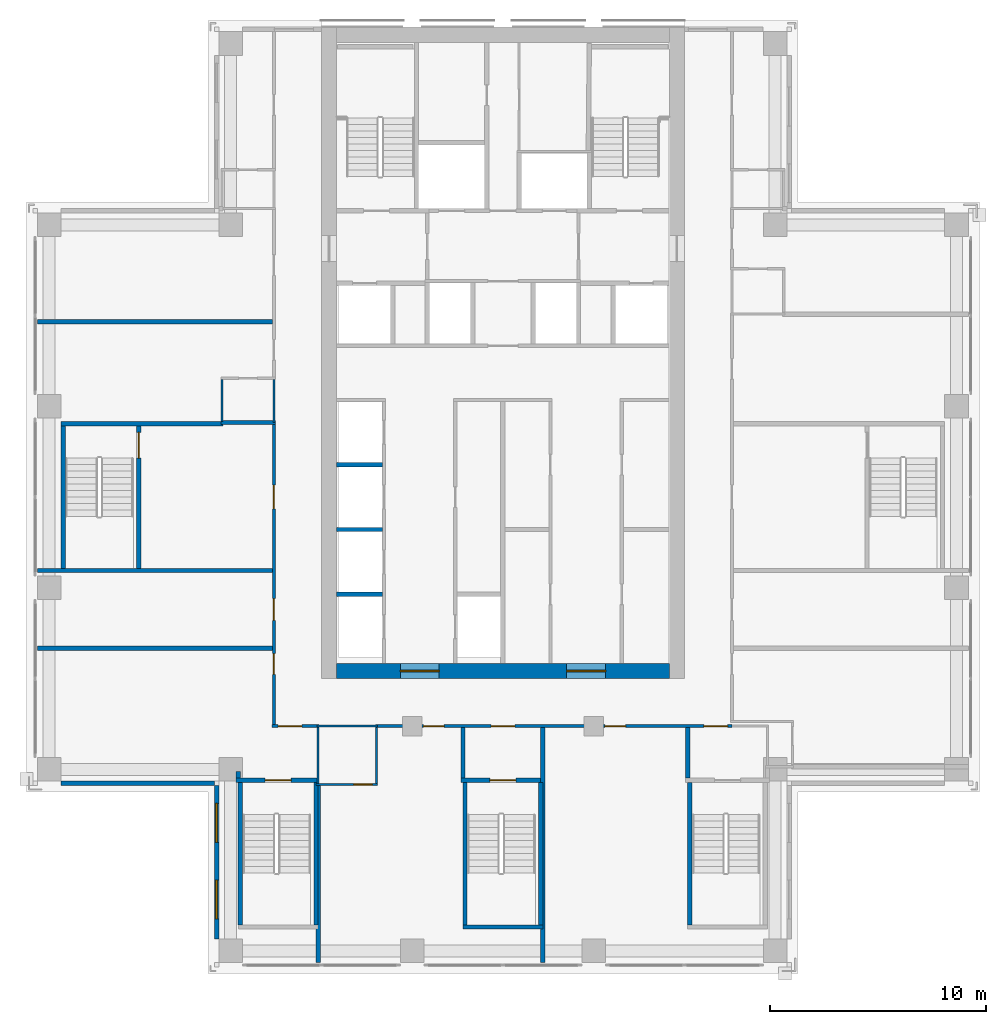
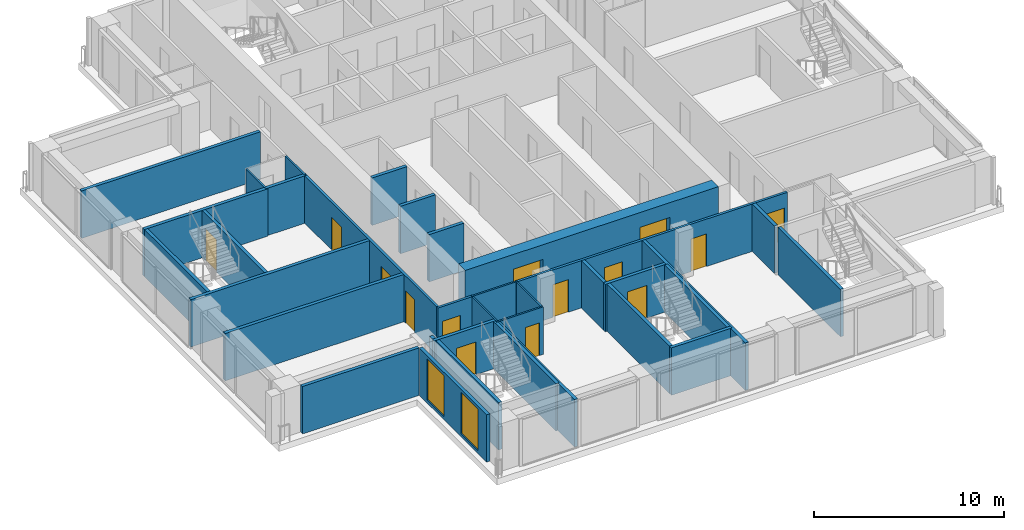
# One storey, part 9 of 16: 35 walls, 14 doors, 2 windows, 16 openings.
"""IFC4 building model written with IfcOpenShell, lengths in metres."""

import ifcopenshell
import ifcopenshell.guid

model = None  # the IFC model being written
_history = None  # IfcOwnerHistory: only IFC2X3 demands one
_inside = {}  # id of a spatial element -> (the spatial element, [elements in it])
_under = {}  # id of a project, library or spatial element -> (it, [spatial elements below it])
_declared = {}  # id of a project -> (the project, [libraries it declares])
_typed = {}  # id of a type object -> (the type object, [elements of that type])
_made_of = {}  # id of a material, layer set ... -> (it, [elements and type objects made of it])


def new_model(schema):
    """Start an empty IFC model of exactly this schema.

    Asked for "IFC4X3", IfcOpenShell would pick the latest addendum, in which some entities
    have other attributes; the version numbers below select the first issue.
    IFC2X3 requires an IfcOwnerHistory on every rooted entity: one is made here for all.
    """
    global model, _history
    if schema == "IFC4X3":
        model = ifcopenshell.file(schema_version=(4, 3, 0, 0))
    else:
        model = ifcopenshell.file(schema=schema)
    _inside.clear()
    _under.clear()
    _declared.clear()
    _typed.clear()
    _made_of.clear()
    _history = None
    if model.schema == "IFC2X3":
        org = make("IfcOrganization", Name="unknown")
        user = make(
            "IfcPersonAndOrganization",
            ThePerson=make("IfcPerson", FamilyName="unknown"),
            TheOrganization=org,
        )
        app = make(
            "IfcApplication",
            ApplicationDeveloper=org,
            Version="unknown",
            ApplicationFullName="unknown",
            ApplicationIdentifier="unknown",
        )
        _history = make(
            "IfcOwnerHistory",
            OwningUser=user,
            OwningApplication=app,
            ChangeAction="ADDED",
            CreationDate=0,
        )
    return model


def make(cls, **values):
    """One entity of the class cls with the attributes given. An attribute that is None is left unset."""
    return model.create_entity(
        cls, **{name: value for name, value in values.items() if value is not None}
    )


def rooted(cls, **values):
    """An entity with a GlobalId (a new one), such as an element, a storey or a relation."""
    return make(cls, GlobalId=ifcopenshell.guid.new(), OwnerHistory=_history, **values)


def si_unit(unit_type, name, prefix=None):
    """IfcSIUnit, for example si_unit("LENGTHUNIT", "METRE", prefix="MILLI")."""
    return make("IfcSIUnit", UnitType=unit_type, Prefix=prefix, Name=name)


def assignment(units):
    """IfcUnitAssignment: the units of a project."""
    return None if units is None else make("IfcUnitAssignment", Units=units)


def point(xyz):
    """IfcCartesianPoint."""
    return None if xyz is None else make("IfcCartesianPoint", Coordinates=xyz)


def direction(xyz):
    """IfcDirection."""
    return None if xyz is None else make("IfcDirection", DirectionRatios=xyz)


def frame(location, z_axis=None, x_axis=None):
    """IfcAxis2Placement3D, a coordinate frame: its origin and axes. An axis left out is left unset."""
    return make(
        "IfcAxis2Placement3D",
        Location=point(location),
        Axis=direction(z_axis),
        RefDirection=direction(x_axis),
    )


def frame_2d(location, x_axis=None):
    """IfcAxis2Placement2D, a coordinate frame in the plane: its origin and x axis."""
    return make(
        "IfcAxis2Placement2D", Location=point(location), RefDirection=direction(x_axis)
    )


def origin():
    """The frame at (0, 0, 0) with its axes left unset."""
    return frame((0.0, 0.0, 0.0))


def place(relative_to, where):
    """IfcLocalPlacement: puts the frame where relative to a parent placement (None: the world)."""
    return make(
        "IfcLocalPlacement", PlacementRelTo=relative_to, RelativePlacement=where
    )


def context(
    kind, dimensions, precision=None, world=None, true_north=None, identifier=None
):
    """IfcGeometricRepresentationContext, for example the 3D "Model" context."""
    return make(
        "IfcGeometricRepresentationContext",
        ContextIdentifier=identifier,
        ContextType=kind,
        CoordinateSpaceDimension=dimensions,
        Precision=precision,
        WorldCoordinateSystem=world,
        TrueNorth=true_north,
    )


def subcontext(parent, identifier, kind, view, scale=None):
    """IfcGeometricRepresentationSubContext, for example "Body" below "Model"."""
    return make(
        "IfcGeometricRepresentationSubContext",
        ContextIdentifier=identifier,
        ContextType=kind,
        ParentContext=parent,
        TargetScale=scale,
        TargetView=view,
    )


def project(units=None, contexts=None):
    """IfcProject with its units and contexts."""
    return rooted(
        "IfcProject",
        Name="project",
        RepresentationContexts=contexts,
        UnitsInContext=assignment(units),
    )


def spatial(cls, under=None, at=None, **own):
    """A site, building, storey or space (cls), placed at a placement, below another one or the project."""
    s = rooted(cls, ObjectPlacement=at, **own)
    if under is not None:
        _under.setdefault(under.id(), (under, []))[1].append(s)
    return s


def profile(cls, at=None, kind="AREA", **sizes):
    """A parametric profile (cls). Its sizes go by their IFC names, for example OverallWidth=200.0."""
    return make(cls, ProfileType=kind, Position=at, **sizes)


def rectangle(**sizes):
    """IfcRectangleProfileDef."""
    return profile("IfcRectangleProfileDef", **sizes)


def extrude(swept, where, along, depth):
    """IfcExtrudedAreaSolid: the profile swept, set in the frame where, extruded along a direction by depth."""
    return make(
        "IfcExtrudedAreaSolid",
        SweptArea=swept,
        Position=where,
        ExtrudedDirection=direction(along),
        Depth=depth,
    )


def shape(context_of_items, identifier, shape_type, items):
    """IfcShapeRepresentation: the items that make up one representation, for example the "Body"."""
    return make(
        "IfcShapeRepresentation",
        ContextOfItems=context_of_items,
        RepresentationIdentifier=identifier,
        RepresentationType=shape_type,
        Items=items,
    )


def material(Name=None, Category=None):
    """IfcMaterial."""
    return make("IfcMaterial", Name=Name, Category=Category)


def layer(
    of_material, thickness, ventilated=None, Name=None, Category=None, Priority=None
):
    """IfcMaterialLayer: one layer of a wall or slab, of a material (None: an air gap)."""
    return make(
        "IfcMaterialLayer",
        Material=of_material,
        LayerThickness=thickness,
        IsVentilated=ventilated,
        Name=Name,
        Category=Category,
        Priority=Priority,
    )


def layer_set(layers, Name=None):
    """IfcMaterialLayerSet."""
    return make("IfcMaterialLayerSet", MaterialLayers=layers, LayerSetName=Name)


def made_of(thing, what):
    """Note that an element or type object is made of a material, layer set ...; save() writes the relation."""
    if what is not None:
        _made_of.setdefault(what.id(), (what, []))[1].append(thing)
    return thing


def type_object(cls, material=None, **own):
    """A type object (cls), such as IfcWallType, which elements share."""
    return made_of(rooted(cls, **own), material)


def element(
    cls,
    number,
    at=None,
    inside=None,
    cuts=None,
    type_object=None,
    material=None,
    context=None,
    identifier="Body",
    shape_type=None,
    held_by="IfcProductDefinitionShape",
    body=None,
    shapes=None,
    **own,
):
    """One element of the class cls, such as IfcWall. Its Tag is "e" and its number.

    at: its placement. inside: the storey or other place that contains it. cuts: it is an
    opening in that element (IfcRelVoidsElement). A single representation is given by context,
    identifier, shape_type and body (its items); several are given by shapes. held_by: the class
    of the entity that holds the representations. save() writes the other relations.
    """
    e = rooted(cls, Tag="e%d" % number, ObjectPlacement=at, **own)
    if body is not None:
        shapes = [shape(context, identifier, shape_type, body)]
    if shapes is not None:
        e.Representation = make(held_by, Representations=shapes)
    if inside is not None:
        _inside.setdefault(inside.id(), (inside, []))[1].append(e)
    if cuts is not None:
        rooted(
            "IfcRelVoidsElement", RelatingBuildingElement=cuts, RelatedOpeningElement=e
        )
    if type_object is not None:
        _typed.setdefault(type_object.id(), (type_object, []))[1].append(e)
    return made_of(e, material)


def fill(opening, filler):
    """IfcRelFillsElement: the door or window that sits in an opening."""
    return rooted(
        "IfcRelFillsElement",
        RelatingOpeningElement=opening,
        RelatedBuildingElement=filler,
    )


def aggregate(whole, parts):
    """IfcRelAggregates: a whole, such as a stair, and the parts it consists of."""
    return rooted("IfcRelAggregates", RelatingObject=whole, RelatedObjects=parts)


def save(model, path):
    """Write the relations noted so far, then the file.

    IfcRelAggregates (storeys below a building ...), IfcRelContainedInSpatialStructure (elements
    in a storey), IfcRelDefinesByType, IfcRelAssociatesMaterial and IfcRelDeclares: one each for
    every whole, place, type object, material and project.
    """
    for whole, parts in _under.values():
        aggregate(whole, parts)
    for where, things in _inside.values():
        rooted(
            "IfcRelContainedInSpatialStructure",
            RelatedElements=things,
            RelatingStructure=where,
        )
    for kind, things in _typed.values():
        rooted("IfcRelDefinesByType", RelatedObjects=things, RelatingType=kind)
    for what, things in _made_of.values():
        rooted("IfcRelAssociatesMaterial", RelatedObjects=things, RelatingMaterial=what)
    for by, libraries in _declared.values():
        rooted("IfcRelDeclares", RelatingContext=by, RelatedDefinitions=libraries)
    model.write(path)


model = new_model("IFC4")

# Units and contexts
model_context = context("Model", 3, precision=1e-05, world=origin(), true_north=direction((0.0, 1.0)))
body_context = subcontext(model_context, "Body", "Model", "MODEL_VIEW")
ifc_project = project(units=[si_unit("LENGTHUNIT", "METRE"), si_unit("AREAUNIT", "SQUARE_METRE"), si_unit("VOLUMEUNIT", "CUBIC_METRE"), si_unit("PLANEANGLEUNIT", "RADIAN"), si_unit("MASSUNIT", "GRAM", prefix="KILO")], contexts=[model_context])

# Site, building, storey
site_placement = place(None, origin())
site = spatial("IfcSite", under=ifc_project, at=site_placement, CompositionType="ELEMENT")
building_placement = place(site_placement, origin())
building = spatial("IfcBuilding", under=site, at=building_placement, Name="Vermilion Ogive Tower", CompositionType="ELEMENT")
storey_placement = place(building_placement, frame((0.0, 0.0, 146.89990234375)))
storey = spatial("IfcBuildingStorey", under=building, at=storey_placement, Name="L37", CompositionType="ELEMENT", Elevation=146.89990234375)

# Wall, openings, doors
ifc_material_1 = material(Name="Concrete B60", Category="concrete")
ifc_layer_1 = layer(ifc_material_1, 0.699951171875)
ifc_layer_set_1 = layer_set([ifc_layer_1], Name="Core wall 700 B60")
wall_type_1 = type_object("IfcWallType", Name="Core wall 700 B60", PredefinedType="SHEAR", material=ifc_layer_set_1)
wall_1_placement = place(storey_placement, frame((-7.699951171875, -8.050048828125, -0.39990234375), z_axis=(0.0, 0.0, 1.0), x_axis=(1.0, 0.0, 0.0)))
wall_1 = element("IfcWall", 1, at=wall_1_placement, inside=storey, type_object=wall_type_1, Name="L37-CORE-S", PredefinedType="SHEAR", context=body_context, shape_type="SweptSolid", body=[
    extrude(rectangle(XDim=15.39990234375, YDim=0.699951171875, at=frame_2d((7.699951171875, 0.0))), origin(), (0.0, 0.0, 1.0), 3.449951171875),
])
opening_1_placement = place(wall_1_placement, frame((2.949951171875, 0.0, 0.39990234375)))
opening_1 = element("IfcOpeningElement", 2, at=opening_1_placement, cuts=wall_1, Name="Opening DAH027", PredefinedType="OPENING", context=body_context, shape_type="SweptSolid", body=[
    extrude(rectangle(XDim=1.800048828125, YDim=2.10009765625, at=frame_2d((0.89990234375, 1.050048828125))), frame((0.0, 0.35986328125, 0.0), z_axis=(0.0, -1.0, 0.0), x_axis=(1.0, 0.0, 0.0)), (0.0, 0.0, 1.0), 0.719970703125),
])
opening_2_placement = place(wall_1_placement, frame((10.64990234375, 0.0, 0.39990234375)))
opening_2 = element("IfcOpeningElement", 3, at=opening_2_placement, cuts=wall_1, Name="Opening DAH028", PredefinedType="OPENING", context=body_context, shape_type="SweptSolid", body=[
    extrude(rectangle(XDim=1.800048828125, YDim=2.10009765625, at=frame_2d((0.89990234375, 1.050048828125))), frame((0.0, 0.35986328125, 0.0), z_axis=(0.0, -1.0, 0.0), x_axis=(1.0, 0.0, 0.0)), (0.0, 0.0, 1.0), 0.719970703125),
])
ifc_material_2 = material(Name="Timber door leaf", Category="wood")
door_type_1 = type_object("IfcDoorType", Name="Core entry door 1800 x 2100 FD60S", OperationType="DOUBLE_DOOR_SINGLE_SWING", PredefinedType="DOOR", material=ifc_material_2)
door_1_placement = place(opening_1_placement, origin())
door_1 = element("IfcDoor", 4, at=door_1_placement, inside=storey, type_object=door_type_1, Name="L37-CK-XD1", OperationType="SINGLE_SWING_LEFT", OverallHeight=2.10009765625, OverallWidth=1.800048828125, PredefinedType="DOOR", context=body_context, shape_type="SweptSolid", body=[
    extrude(rectangle(XDim=1.800048828125, YDim=2.10009765625, at=frame_2d((0.89990234375, 1.050048828125))), frame((0.0, 0.02490234375, 0.0), z_axis=(0.0, -1.0, 0.0), x_axis=(1.0, 0.0, 0.0)), (0.0, 0.0, 1.0), 0.050048828125),
])
fill(opening_1, door_1)
door_2_placement = place(opening_2_placement, origin())
door_2 = element("IfcDoor", 5, at=door_2_placement, inside=storey, type_object=door_type_1, Name="L37-CK-XD2", OperationType="SINGLE_SWING_LEFT", OverallHeight=2.10009765625, OverallWidth=1.800048828125, PredefinedType="DOOR", context=body_context, shape_type="SweptSolid", body=[
    extrude(rectangle(XDim=1.800048828125, YDim=2.10009765625, at=frame_2d((0.89990234375, 1.050048828125))), frame((0.0, 0.02490234375, 0.0), z_axis=(0.0, -1.0, 0.0), x_axis=(1.0, 0.0, 0.0)), (0.0, 0.0, 1.0), 0.050048828125),
])
fill(opening_2, door_2)

# Wall, opening, door
ifc_material_3 = material(Name="Gypsum board partition on steel studs", Category="steel")
ifc_layer_2 = layer(ifc_material_3, 0.10009765625)
ifc_layer_set_2 = layer_set([ifc_layer_2], Name="Partition 100 bath")
wall_type_2 = type_object("IfcWallType", Name="Partition 100 bath", PredefinedType="PARTITIONING", material=ifc_layer_set_2)
wall_2_placement = place(storey_placement, frame((-8.64990234375, -13.300048828125, 0.0), z_axis=(0.0, 0.0, 1.0), x_axis=(1.0, 0.0, 0.0)))
wall_2 = element("IfcWall", 6, at=wall_2_placement, inside=storey, type_object=wall_type_2, Name="L37-W-W004", PredefinedType="PARTITIONING", context=body_context, shape_type="SweptSolid", body=[
    extrude(rectangle(XDim=2.847900390625, YDim=0.10009765625, at=frame_2d((1.423828125, 0.0))), origin(), (0.0, 0.0, 1.0), 3.050048828125),
])
opening_3_placement = place(wall_2_placement, frame((1.75, 0.0, 0.0)))
opening_3 = element("IfcOpeningElement", 7, at=opening_3_placement, cuts=wall_2, Name="Opening D3G2008", PredefinedType="OPENING", context=body_context, shape_type="SweptSolid", body=[
    extrude(rectangle(XDim=0.85009765625, YDim=2.10009765625, at=frame_2d((0.425048828125, 1.050048828125))), frame((0.0, 0.06005859375, 0.0), z_axis=(0.0, -1.0, 0.0), x_axis=(1.0, 0.0, 0.0)), (0.0, 0.0, 1.0), 0.1201171875),
])
ifc_material_4 = material(Name="Timber door leaf", Category="wood")
door_type_2 = type_object("IfcDoorType", Name="Bath door 850 x 2100 FD30", OperationType="SINGLE_SWING_LEFT", PredefinedType="DOOR", material=ifc_material_4)
door_3_placement = place(opening_3_placement, origin())
door_3 = element("IfcDoor", 8, at=door_3_placement, inside=storey, type_object=door_type_2, Name="L37-D-D008", OperationType="SINGLE_SWING_RIGHT", OverallHeight=2.10009765625, OverallWidth=0.85009765625, PredefinedType="DOOR", context=body_context, shape_type="SweptSolid", body=[
    extrude(rectangle(XDim=0.85009765625, YDim=2.10009765625, at=frame_2d((0.425048828125, 1.050048828125))), frame((0.0, 0.02490234375, 0.0), z_axis=(0.0, -1.0, 0.0), x_axis=(1.0, 0.0, 0.0)), (0.0, 0.0, 1.0), 0.050048828125),
])
fill(opening_3, door_3)

# Walls
wall_3_placement = place(storey_placement, frame((-8.60009765625, -10.60009765625, 0.0), z_axis=(0.0, 0.0, 1.0), x_axis=(1.0, 0.0, 0.0)))
element("IfcWall", 9, at=wall_3_placement, inside=storey, type_object=wall_type_2, Name="L37-W-W011", PredefinedType="PARTITIONING", context=body_context, shape_type="SweptSolid", body=[
    extrude(rectangle(XDim=2.800048828125, YDim=0.10009765625, at=frame_2d((1.39990234375, 0.0))), origin(), (0.0, 0.0, 1.0), 3.050048828125),
])
wall_4_placement = place(storey_placement, frame((-13.0, 3.5, 0.0), z_axis=(0.0, 0.0, 1.0), x_axis=(0.0, 1.0, 0.0)))
element("IfcWall", 10, at=wall_4_placement, inside=storey, type_object=wall_type_2, Name="L37-W-W035", PredefinedType="PARTITIONING", context=body_context, shape_type="SweptSolid", body=[
    extrude(rectangle(XDim=1.947998046875, YDim=0.10009765625, at=frame_2d((0.97412109375, 0.0))), origin(), (0.0, 0.0, 1.0), 3.050048828125),
])
wall_5_placement = place(storey_placement, frame((-10.60009765625, 3.449951171875, 0.0), z_axis=(0.0, 0.0, 1.0), x_axis=(0.0, 1.0, 0.0)))
element("IfcWall", 11, at=wall_5_placement, inside=storey, type_object=wall_type_2, Name="L37-W-W040", PredefinedType="PARTITIONING", context=body_context, shape_type="SweptSolid", body=[
    extrude(rectangle(XDim=2.0, YDim=0.10009765625, at=frame_2d((1.0, 0.0))), origin(), (0.0, 0.0, 1.0), 3.050048828125),
])
wall_6_placement = place(storey_placement, frame((-8.550048828125, -13.25, 0.0), z_axis=(0.0, 0.0, 1.0), x_axis=(0.0, 1.0, 0.0)))
element("IfcWall", 12, at=wall_6_placement, inside=storey, type_object=wall_type_2, Name="L37-W-W046", PredefinedType="PARTITIONING", context=body_context, shape_type="SweptSolid", body=[
    extrude(rectangle(XDim=2.574951171875, YDim=0.10009765625, at=frame_2d((1.28759765625, 0.0))), origin(), (0.0, 0.0, 1.0), 3.050048828125),
])
wall_7_placement = place(storey_placement, frame((-5.85009765625, -13.248046875, 0.0), z_axis=(0.0, 0.0, 1.0), x_axis=(0.0, 1.0, 0.0)))
element("IfcWall", 13, at=wall_7_placement, inside=storey, type_object=wall_type_2, Name="L37-W-W047", PredefinedType="PARTITIONING", context=body_context, shape_type="SweptSolid", body=[
    extrude(rectangle(XDim=2.572998046875, YDim=0.10009765625, at=frame_2d((1.28662109375, 0.0))), origin(), (0.0, 0.0, 1.0), 3.050048828125),
])

# Wall, opening, door
ifc_material_5 = material(Name="Gypsum board partition on steel studs", Category="steel")
ifc_layer_3 = layer(ifc_material_5, 0.14990234375)
ifc_layer_set_3 = layer_set([ifc_layer_3], Name="Partition 150 corridor")
wall_type_3 = type_object("IfcWallType", Name="Partition 150 corridor", PredefinedType="PARTITIONING", material=ifc_layer_set_3)
wall_8_placement = place(storey_placement, frame((-10.675048828125, -10.60009765625, 0.0), z_axis=(0.0, 0.0, 1.0), x_axis=(1.0, 0.0, 0.0)))
wall_8 = element("IfcWall", 14, at=wall_8_placement, inside=storey, type_object=wall_type_3, Name="L37-W-W010", PredefinedType="PARTITIONING", context=body_context, shape_type="SweptSolid", body=[
    extrude(rectangle(XDim=2.175048828125, YDim=0.14990234375, at=frame_2d((1.08740234375, 0.0))), origin(), (0.0, 0.0, 1.0), 3.050048828125),
])
opening_4_placement = place(wall_8_placement, frame((0.275146484375, 0.0, 0.0)))
opening_4 = element("IfcOpeningElement", 15, at=opening_4_placement, cuts=wall_8, Name="Opening D3G2017", PredefinedType="OPENING", context=body_context, shape_type="SweptSolid", body=[
    extrude(rectangle(XDim=1.10009765625, YDim=2.10009765625, at=frame_2d((0.550048828125, 1.050048828125))), frame((0.0, 0.0849609375, 0.0), z_axis=(0.0, -1.0, 0.0), x_axis=(1.0, 0.0, 0.0)), (0.0, 0.0, 1.0), 0.169921875),
])
ifc_material_6 = material(Name="Timber door leaf", Category="wood")
door_type_3 = type_object("IfcDoorType", Name="Stair door 1100 x 2100 FD60S", OperationType="SINGLE_SWING_LEFT", PredefinedType="DOOR", material=ifc_material_6)
door_4_placement = place(opening_4_placement, origin())
door_4 = element("IfcDoor", 16, at=door_4_placement, inside=storey, type_object=door_type_3, Name="L37-D-D017", OperationType="SINGLE_SWING_RIGHT", OverallHeight=2.10009765625, OverallWidth=1.10009765625, PredefinedType="DOOR", context=body_context, shape_type="SweptSolid", body=[
    extrude(rectangle(XDim=1.10009765625, YDim=2.10009765625, at=frame_2d((0.550048828125, 1.050048828125))), frame((0.0, 0.02490234375, 0.0), z_axis=(0.0, -1.0, 0.0), x_axis=(1.0, 0.0, 0.0)), (0.0, 0.0, 1.0), 0.050048828125),
])
fill(opening_4, door_4)

# Wall, openings, doors
wall_9_placement = place(storey_placement, frame((-5.89990234375, -10.60009765625, 0.0), z_axis=(0.0, 0.0, 1.0), x_axis=(1.0, 0.0, 0.0)))
wall_9 = element("IfcWall", 17, at=wall_9_placement, inside=storey, type_object=wall_type_3, Name="L37-W-W012", PredefinedType="PARTITIONING", context=body_context, shape_type="SweptSolid", body=[
    extrude(rectangle(XDim=16.5, YDim=0.14990234375, at=frame_2d((8.25, 0.0))), origin(), (0.0, 0.0, 1.0), 3.050048828125),
])
opening_5_placement = place(wall_9_placement, frame((2.224853515625, 0.0, 0.0)))
opening_5 = element("IfcOpeningElement", 18, at=opening_5_placement, cuts=wall_9, Name="Opening D3G2007", PredefinedType="OPENING", context=body_context, shape_type="SweptSolid", body=[
    extrude(rectangle(XDim=0.949951171875, YDim=2.10009765625, at=frame_2d((0.47509765625, 1.050048828125))), frame((0.0, 0.0849609375, 0.0), z_axis=(0.0, -1.0, 0.0), x_axis=(1.0, 0.0, 0.0)), (0.0, 0.0, 1.0), 0.169921875),
])
opening_6_placement = place(wall_9_placement, frame((10.625, 0.0, 0.0)))
opening_6 = element("IfcOpeningElement", 19, at=opening_6_placement, cuts=wall_9, Name="Opening D3G2009", PredefinedType="OPENING", context=body_context, shape_type="SweptSolid", body=[
    extrude(rectangle(XDim=0.949951171875, YDim=2.10009765625, at=frame_2d((0.47509765625, 1.050048828125))), frame((0.0, 0.0849609375, 0.0), z_axis=(0.0, -1.0, 0.0), x_axis=(1.0, 0.0, 0.0)), (0.0, 0.0, 1.0), 0.169921875),
])
opening_7_placement = place(wall_9_placement, frame((5.349853515625, 0.0, 0.0)))
opening_7 = element("IfcOpeningElement", 20, at=opening_7_placement, cuts=wall_9, Name="Opening D3G2019", PredefinedType="OPENING", context=body_context, shape_type="SweptSolid", body=[
    extrude(rectangle(XDim=1.10009765625, YDim=2.10009765625, at=frame_2d((0.550048828125, 1.050048828125))), frame((0.0, 0.0849609375, 0.0), z_axis=(0.0, -1.0, 0.0), x_axis=(1.0, 0.0, 0.0)), (0.0, 0.0, 1.0), 0.169921875),
])
opening_8_placement = place(wall_9_placement, frame((15.199951171875, 0.0, 0.0)))
opening_8 = element("IfcOpeningElement", 21, at=opening_8_placement, cuts=wall_9, Name="Opening D3G2021", PredefinedType="OPENING", context=body_context, shape_type="SweptSolid", body=[
    extrude(rectangle(XDim=1.10009765625, YDim=2.10009765625, at=frame_2d((0.550048828125, 1.050048828125))), frame((0.0, 0.0849609375, 0.0), z_axis=(0.0, -1.0, 0.0), x_axis=(1.0, 0.0, 0.0)), (0.0, 0.0, 1.0), 0.169921875),
])
door_5_placement = place(opening_7_placement, origin())
door_5 = element("IfcDoor", 22, at=door_5_placement, inside=storey, type_object=door_type_3, Name="L37-D-D019", OperationType="SINGLE_SWING_LEFT", OverallHeight=2.10009765625, OverallWidth=1.10009765625, PredefinedType="DOOR", context=body_context, shape_type="SweptSolid", body=[
    extrude(rectangle(XDim=1.10009765625, YDim=2.10009765625, at=frame_2d((0.550048828125, 1.050048828125))), frame((0.0, 0.02490234375, 0.0), z_axis=(0.0, -1.0, 0.0), x_axis=(1.0, 0.0, 0.0)), (0.0, 0.0, 1.0), 0.050048828125),
])
fill(opening_7, door_5)
door_6_placement = place(opening_8_placement, origin())
door_6 = element("IfcDoor", 23, at=door_6_placement, inside=storey, type_object=door_type_3, Name="L37-D-D021", OperationType="SINGLE_SWING_RIGHT", OverallHeight=2.10009765625, OverallWidth=1.10009765625, PredefinedType="DOOR", context=body_context, shape_type="SweptSolid", body=[
    extrude(rectangle(XDim=1.10009765625, YDim=2.10009765625, at=frame_2d((0.550048828125, 1.050048828125))), frame((0.0, 0.02490234375, 0.0), z_axis=(0.0, -1.0, 0.0), x_axis=(1.0, 0.0, 0.0)), (0.0, 0.0, 1.0), 0.050048828125),
])
fill(opening_8, door_6)
ifc_material_7 = material(Name="Timber door leaf", Category="wood")
door_type_4 = type_object("IfcDoorType", Name="Unit door 950 x 2100 FD30S", OperationType="SINGLE_SWING_LEFT", PredefinedType="DOOR", material=ifc_material_7)
door_7_placement = place(opening_5_placement, origin())
door_7 = element("IfcDoor", 24, at=door_7_placement, inside=storey, type_object=door_type_4, Name="L37-D-D007", OperationType="SINGLE_SWING_LEFT", OverallHeight=2.10009765625, OverallWidth=0.949951171875, PredefinedType="DOOR", context=body_context, shape_type="SweptSolid", body=[
    extrude(rectangle(XDim=0.949951171875, YDim=2.10009765625, at=frame_2d((0.47509765625, 1.050048828125))), frame((0.0, 0.02490234375, 0.0), z_axis=(0.0, -1.0, 0.0), x_axis=(1.0, 0.0, 0.0)), (0.0, 0.0, 1.0), 0.050048828125),
])
fill(opening_5, door_7)
door_8_placement = place(opening_6_placement, origin())
door_8 = element("IfcDoor", 25, at=door_8_placement, inside=storey, type_object=door_type_4, Name="L37-D-D009", OperationType="SINGLE_SWING_RIGHT", OverallHeight=2.10009765625, OverallWidth=0.949951171875, PredefinedType="DOOR", context=body_context, shape_type="SweptSolid", body=[
    extrude(rectangle(XDim=0.949951171875, YDim=2.10009765625, at=frame_2d((0.47509765625, 1.050048828125))), frame((0.0, 0.02490234375, 0.0), z_axis=(0.0, -1.0, 0.0), x_axis=(1.0, 0.0, 0.0)), (0.0, 0.0, 1.0), 0.050048828125),
])
fill(opening_6, door_8)

wall_10_placement = place(storey_placement, frame((-10.60009765625, -10.52490234375, 0.0), z_axis=(0.0, 0.0, 1.0), x_axis=(0.0, 1.0, 0.0)))
wall_10 = element("IfcWall", 26, at=wall_10_placement, inside=storey, type_object=wall_type_3, Name="L37-W-W039", PredefinedType="PARTITIONING", context=body_context, shape_type="SweptSolid", body=[
    extrude(rectangle(XDim=13.875, YDim=0.14990234375, at=frame_2d((6.9375, 0.0))), origin(), (0.0, 0.0, 1.0), 3.050048828125),
])
opening_9_placement = place(wall_10_placement, frame((2.324951171875, 0.0, 0.0)))
opening_9 = element("IfcOpeningElement", 27, at=opening_9_placement, cuts=wall_10, Name="Opening D3G2001", PredefinedType="OPENING", context=body_context, shape_type="SweptSolid", body=[
    extrude(rectangle(XDim=0.949951171875, YDim=2.10009765625, at=frame_2d((0.47509765625, 1.050048828125))), frame((0.0, 0.0849609375, 0.0), z_axis=(0.0, -1.0, 0.0), x_axis=(1.0, 0.0, 0.0)), (0.0, 0.0, 1.0), 0.169921875),
])
opening_10_placement = place(wall_10_placement, frame((9.974853515625, 0.0, 0.0)))
opening_10 = element("IfcOpeningElement", 28, at=opening_10_placement, cuts=wall_10, Name="Opening D3G2025", PredefinedType="OPENING", context=body_context, shape_type="SweptSolid", body=[
    extrude(rectangle(XDim=1.10009765625, YDim=2.10009765625, at=frame_2d((0.550048828125, 1.050048828125))), frame((0.0, 0.0849609375, 0.0), z_axis=(0.0, -1.0, 0.0), x_axis=(1.0, 0.0, 0.0)), (0.0, 0.0, 1.0), 0.169921875),
])
opening_11_placement = place(wall_10_placement, frame((4.824951171875, 0.0, 0.0)))
opening_11 = element("IfcOpeningElement", 29, at=opening_11_placement, cuts=wall_10, Name="Opening D3G2027", PredefinedType="OPENING", context=body_context, shape_type="SweptSolid", body=[
    extrude(rectangle(XDim=1.0, YDim=2.10009765625, at=frame_2d((0.5, 1.050048828125))), frame((0.0, 0.0849609375, 0.0), z_axis=(0.0, -1.0, 0.0), x_axis=(1.0, 0.0, 0.0)), (0.0, 0.0, 1.0), 0.169921875),
])
door_9_placement = place(opening_10_placement, origin())
door_9 = element("IfcDoor", 30, at=door_9_placement, inside=storey, type_object=door_type_3, Name="L37-D-D025", OperationType="SINGLE_SWING_RIGHT", OverallHeight=2.10009765625, OverallWidth=1.10009765625, PredefinedType="DOOR", context=body_context, shape_type="SweptSolid", body=[
    extrude(rectangle(XDim=1.10009765625, YDim=2.10009765625, at=frame_2d((0.550048828125, 1.050048828125))), frame((0.0, 0.02490234375, 0.0), z_axis=(0.0, -1.0, 0.0), x_axis=(1.0, 0.0, 0.0)), (0.0, 0.0, 1.0), 0.050048828125),
])
fill(opening_10, door_9)
ifc_material_8 = material(Name="Timber door leaf", Category="wood")
door_type_5 = type_object("IfcDoorType", Name="Unit door 1000 x 2100 FD30S", OperationType="SINGLE_SWING_LEFT", PredefinedType="DOOR", material=ifc_material_8)
door_10_placement = place(opening_11_placement, origin())
door_10 = element("IfcDoor", 31, at=door_10_placement, inside=storey, type_object=door_type_5, Name="L37-D-D027", OperationType="SINGLE_SWING_RIGHT", OverallHeight=2.10009765625, OverallWidth=1.0, PredefinedType="DOOR", context=body_context, shape_type="SweptSolid", body=[
    extrude(rectangle(XDim=1.0, YDim=2.10009765625, at=frame_2d((0.5, 1.050048828125))), frame((0.0, 0.02490234375, 0.0), z_axis=(0.0, -1.0, 0.0), x_axis=(1.0, 0.0, 0.0)), (0.0, 0.0, 1.0), 0.050048828125),
])
fill(opening_11, door_10)
door_11_placement = place(opening_9_placement, origin())
door_11 = element("IfcDoor", 32, at=door_11_placement, inside=storey, type_object=door_type_4, Name="L37-D-D001", OperationType="SINGLE_SWING_RIGHT", OverallHeight=2.10009765625, OverallWidth=0.949951171875, PredefinedType="DOOR", context=body_context, shape_type="SweptSolid", body=[
    extrude(rectangle(XDim=0.949951171875, YDim=2.10009765625, at=frame_2d((0.47509765625, 1.050048828125))), frame((0.0, 0.02490234375, 0.0), z_axis=(0.0, -1.0, 0.0), x_axis=(1.0, 0.0, 0.0)), (0.0, 0.0, 1.0), 0.050048828125),
])
fill(opening_9, door_11)

# Walls
ifc_material_9 = material(Name="Gypsum board partition on steel studs", Category="steel")
ifc_layer_4 = layer(ifc_material_9, 0.199951171875)
ifc_layer_set_4 = layer_set([ifc_layer_4], Name="Partition 200 party")
wall_type_4 = type_object("IfcWallType", Name="Partition 200 party", PredefinedType="PARTITIONING", material=ifc_layer_set_4)
for number, where, z_axis, x_axis, name in (
    (33, (-21.550048828125, -7.0, 0.0), (0.0, 0.0, 1.0), (1.0, 0.0, 0.0), "L37-W-W015"),
    (34, (-21.550048828125, 8.1201171875, 0.0), (0.0, 0.0, 1.0), (1.0, 0.0, 0.0), "L37-W-W023"),
):
    element("IfcWall", number, at=place(storey_placement, frame(where, z_axis=z_axis, x_axis=x_axis)), inside=storey, type_object=wall_type_4, Name=name, PredefinedType="PARTITIONING", context=body_context, shape_type="SweptSolid", body=[
        extrude(rectangle(XDim=10.875, YDim=0.199951171875, at=frame_2d((5.4375, 0.0))), origin(), (0.0, 0.0, 1.0), 3.050048828125),
    ])
wall_11_placement = place(storey_placement, frame((-12.25, -12.998046875, 0.0), z_axis=(0.0, 0.0, 1.0), x_axis=(0.0, 1.0, 0.0)))
element("IfcWall", 35, at=wall_11_placement, inside=storey, type_object=wall_type_4, Name="L37-W-W037", PredefinedType="PARTITIONING", context=body_context, shape_type="SweptSolid", body=[
    extrude(rectangle(XDim=0.30615234375, YDim=0.199951171875, at=frame_2d((0.153076171875, 0.0))), origin(), (0.0, 0.0, 1.0), 3.050048828125),
])
for number, where, z_axis, x_axis, name in (
    (36, (-1.85009765625, -12.998046875, 0.0), (0.0, 0.0, 1.0), (0.0, 1.0, 0.0), "L37-W-W048"),
    (37, (8.550048828125, -12.998046875, 0.0), (0.0, 0.0, 1.0), (0.0, 1.0, 0.0), "L37-W-W052"),
):
    element("IfcWall", number, at=place(storey_placement, frame(where, z_axis=z_axis, x_axis=x_axis)), inside=storey, type_object=wall_type_4, Name=name, PredefinedType="PARTITIONING", context=body_context, shape_type="SweptSolid", body=[
        extrude(rectangle(XDim=2.322998046875, YDim=0.199951171875, at=frame_2d((1.16162109375, 0.0))), origin(), (0.0, 0.0, 1.0), 3.050048828125),
    ])
for number, where, z_axis, x_axis, name in (
    (38, (-7.698974609375, -4.5, 0.0), (0.0, 0.0, 1.0), (1.0, 0.0, 0.0), "L37-CK-W-W001"),
    (39, (-7.698974609375, -1.5, 0.0), (0.0, 0.0, 1.0), (1.0, 0.0, 0.0), "L37-CK-W-W003"),
    (40, (-7.698974609375, 1.5, 0.0), (0.0, 0.0, 1.0), (1.0, 0.0, 0.0), "L37-CK-W-W006"),
):
    element("IfcWall", number, at=place(storey_placement, frame(where, z_axis=z_axis, x_axis=x_axis)), inside=storey, type_object=wall_type_4, Name=name, PredefinedType="PARTITIONING", context=body_context, shape_type="SweptSolid", body=[
        extrude(rectangle(XDim=2.1240234375, YDim=0.199951171875, at=frame_2d((1.06201171875, 0.0))), origin(), (0.0, 0.0, 1.0), 3.050048828125),
    ])
ifc_material_10 = material(Name="Concrete B60", Category="concrete")
ifc_layer_5 = layer(ifc_material_10, 0.199951171875)
ifc_layer_set_5 = layer_set([ifc_layer_5], Name="Stair shaft wall 200 Concrete B60")
wall_type_5 = type_object("IfcWallType", Name="Stair shaft wall 200 Concrete B60", PredefinedType="SOLIDWALL", material=ifc_layer_set_5)
wall_12_placement = place(storey_placement, frame((-1.847900390625, -19.89990234375, 0.0), z_axis=(0.0, 0.0, 1.0), x_axis=(1.0, 0.0, 0.0)))
element("IfcWall", 41, at=wall_12_placement, inside=storey, type_object=wall_type_5, Name="L37-W-W002", PredefinedType="SOLIDWALL", context=body_context, shape_type="SweptSolid", body=[
    extrude(rectangle(XDim=3.69580078125, YDim=0.199951171875, at=frame_2d((1.847900390625, 0.0))), origin(), (0.0, 0.0, 1.0), 3.050048828125),
])

# Wall, opening, door
wall_13_placement = place(storey_placement, frame((-12.347900390625, -13.10009765625, 0.0), z_axis=(0.0, 0.0, 1.0), x_axis=(1.0, 0.0, 0.0)))
wall_13 = element("IfcWall", 42, at=wall_13_placement, inside=storey, type_object=wall_type_5, Name="L37-W-W005", PredefinedType="SOLIDWALL", context=body_context, shape_type="SweptSolid", body=[
    extrude(rectangle(XDim=3.745849609375, YDim=0.199951171875, at=frame_2d((1.873046875, 0.0))), origin(), (0.0, 0.0, 1.0), 3.050048828125),
])
opening_12_placement = place(wall_13_placement, frame((1.347900390625, 0.0, 0.0)))
opening_12 = element("IfcOpeningElement", 43, at=opening_12_placement, cuts=wall_13, Name="Opening D3G2018", PredefinedType="OPENING", context=body_context, shape_type="SweptSolid", body=[
    extrude(rectangle(XDim=1.199951171875, YDim=2.10009765625, at=frame_2d((0.60009765625, 1.050048828125))), frame((0.0, 0.10986328125, 0.0), z_axis=(0.0, -1.0, 0.0), x_axis=(1.0, 0.0, 0.0)), (0.0, 0.0, 1.0), 0.219970703125),
])
ifc_material_11 = material(Name="Timber door leaf", Category="wood")
door_type_6 = type_object("IfcDoorType", Name="Stair door 1200 x 2100 FD60S", OperationType="SINGLE_SWING_LEFT", PredefinedType="DOOR", material=ifc_material_11)
door_12_placement = place(opening_12_placement, origin())
door_12 = element("IfcDoor", 44, at=door_12_placement, inside=storey, type_object=door_type_6, Name="L37-D-D018", OperationType="SINGLE_SWING_RIGHT", OverallHeight=2.10009765625, OverallWidth=1.199951171875, PredefinedType="DOOR", context=body_context, shape_type="SweptSolid", body=[
    extrude(rectangle(XDim=1.199951171875, YDim=2.10009765625, at=frame_2d((0.60009765625, 1.050048828125))), frame((0.0, 0.02490234375, 0.0), z_axis=(0.0, -1.0, 0.0), x_axis=(1.0, 0.0, 0.0)), (0.0, 0.0, 1.0), 0.050048828125),
])
fill(opening_12, door_12)

wall_14_placement = place(storey_placement, frame((-1.947998046875, -13.10009765625, 0.0), z_axis=(0.0, 0.0, 1.0), x_axis=(1.0, 0.0, 0.0)))
wall_14 = element("IfcWall", 45, at=wall_14_placement, inside=storey, type_object=wall_type_5, Name="L37-W-W006", PredefinedType="SOLIDWALL", context=body_context, shape_type="SweptSolid", body=[
    extrude(rectangle(XDim=3.696044921875, YDim=0.199951171875, at=frame_2d((1.84814453125, 0.0))), origin(), (0.0, 0.0, 1.0), 3.050048828125),
])
opening_13_placement = place(wall_14_placement, frame((1.347900390625, 0.0, 0.0)))
opening_13 = element("IfcOpeningElement", 46, at=opening_13_placement, cuts=wall_14, Name="Opening D3G2020", PredefinedType="OPENING", context=body_context, shape_type="SweptSolid", body=[
    extrude(rectangle(XDim=1.199951171875, YDim=2.10009765625, at=frame_2d((0.60009765625, 1.050048828125))), frame((0.0, 0.10986328125, 0.0), z_axis=(0.0, -1.0, 0.0), x_axis=(1.0, 0.0, 0.0)), (0.0, 0.0, 1.0), 0.219970703125),
])
door_13_placement = place(opening_13_placement, origin())
door_13 = element("IfcDoor", 47, at=door_13_placement, inside=storey, type_object=door_type_6, Name="L37-D-D020", OperationType="SINGLE_SWING_RIGHT", OverallHeight=2.10009765625, OverallWidth=1.199951171875, PredefinedType="DOOR", context=body_context, shape_type="SweptSolid", body=[
    extrude(rectangle(XDim=1.199951171875, YDim=2.10009765625, at=frame_2d((0.60009765625, 1.050048828125))), frame((0.0, 0.02490234375, 0.0), z_axis=(0.0, -1.0, 0.0), x_axis=(1.0, 0.0, 0.0)), (0.0, 0.0, 1.0), 0.050048828125),
])
fill(opening_13, door_13)

# Walls
wall_15_placement = place(storey_placement, frame((-20.447998046875, 3.39990234375, 0.0), z_axis=(0.0, 0.0, 1.0), x_axis=(1.0, 0.0, 0.0)))
element("IfcWall", 48, at=wall_15_placement, inside=storey, type_object=wall_type_5, Name="L37-W-W019", PredefinedType="SOLIDWALL", context=body_context, shape_type="SweptSolid", body=[
    extrude(rectangle(XDim=7.498046875, YDim=0.199951171875, at=frame_2d((3.7490234375, 0.0))), origin(), (0.0, 0.0, 1.0), 3.050048828125),
])
wall_16_placement = place(storey_placement, frame((-13.050048828125, 3.449951171875, 0.0), z_axis=(0.0, 0.0, 1.0), x_axis=(1.0, 0.0, 0.0)))
element("IfcWall", 49, at=wall_16_placement, inside=storey, type_object=wall_type_5, Name="L37-W-W020", PredefinedType="SOLIDWALL", context=body_context, shape_type="SweptSolid", body=[
    extrude(rectangle(XDim=2.525146484375, YDim=0.199951171875, at=frame_2d((1.2626953125, 0.0))), origin(), (0.0, 0.0, 1.0), 3.050048828125),
])
wall_17_placement = place(storey_placement, frame((-20.35009765625, -3.298095703125, 0.0), z_axis=(0.0, 0.0, 1.0), x_axis=(0.0, 1.0, 0.0)))
element("IfcWall", 50, at=wall_17_placement, inside=storey, type_object=wall_type_5, Name="L37-W-W033", PredefinedType="SOLIDWALL", context=body_context, shape_type="SweptSolid", body=[
    extrude(rectangle(XDim=6.59619140625, YDim=0.199951171875, at=frame_2d((3.298095703125, 0.0))), origin(), (0.0, 0.0, 1.0), 3.050048828125),
])

# Wall, opening, door
wall_18_placement = place(storey_placement, frame((-16.85009765625, -3.300048828125, 0.0), z_axis=(0.0, 0.0, 1.0), x_axis=(0.0, 1.0, 0.0)))
wall_18 = element("IfcWall", 51, at=wall_18_placement, inside=storey, type_object=wall_type_5, Name="L37-W-W034", PredefinedType="SOLIDWALL", context=body_context, shape_type="SweptSolid", body=[
    extrude(rectangle(XDim=6.60009765625, YDim=0.199951171875, at=frame_2d((3.300048828125, 0.0))), origin(), (0.0, 0.0, 1.0), 3.050048828125),
])
opening_14_placement = place(wall_18_placement, frame((5.10009765625, 0.0, 0.0)))
opening_14 = element("IfcOpeningElement", 52, at=opening_14_placement, cuts=wall_18, Name="Opening D3G2026", PredefinedType="OPENING", context=body_context, shape_type="SweptSolid", body=[
    extrude(rectangle(XDim=1.199951171875, YDim=2.10009765625, at=frame_2d((0.60009765625, 1.050048828125))), frame((0.0, 0.10986328125, 0.0), z_axis=(0.0, -1.0, 0.0), x_axis=(1.0, 0.0, 0.0)), (0.0, 0.0, 1.0), 0.219970703125),
])
door_14_placement = place(opening_14_placement, origin())
door_14 = element("IfcDoor", 53, at=door_14_placement, inside=storey, type_object=door_type_6, Name="L37-D-D026", OperationType="SINGLE_SWING_RIGHT", OverallHeight=2.10009765625, OverallWidth=1.199951171875, PredefinedType="DOOR", context=body_context, shape_type="SweptSolid", body=[
    extrude(rectangle(XDim=1.199951171875, YDim=2.10009765625, at=frame_2d((0.60009765625, 1.050048828125))), frame((0.0, 0.02490234375, 0.0), z_axis=(0.0, -1.0, 0.0), x_axis=(1.0, 0.0, 0.0)), (0.0, 0.0, 1.0), 0.050048828125),
])
fill(opening_14, door_14)

# Walls
for number, where, z_axis, x_axis, name in (
    (54, (-12.14990234375, -19.798095703125, 0.0), (0.0, 0.0, 1.0), (0.0, 1.0, 0.0), "L37-W-W038"),
    (55, (-8.64990234375, -19.798095703125, 0.0), (0.0, 0.0, 1.0), (0.0, 1.0, 0.0), "L37-W-W044"),
    (56, (-1.75, -19.798095703125, 0.0), (0.0, 0.0, 1.0), (0.0, 1.0, 0.0), "L37-W-W049"),
    (57, (1.75, -19.798095703125, 0.0), (0.0, 0.0, 1.0), (0.0, 1.0, 0.0), "L37-W-W050"),
    (58, (8.64990234375, -19.798095703125, 0.0), (0.0, 0.0, 1.0), (0.0, 1.0, 0.0), "L37-W-W053"),
):
    element("IfcWall", number, at=place(storey_placement, frame(where, z_axis=z_axis, x_axis=x_axis)), inside=storey, type_object=wall_type_5, Name=name, PredefinedType="SOLIDWALL", context=body_context, shape_type="SweptSolid", body=[
        extrude(rectangle(XDim=6.59619140625, YDim=0.199951171875, at=frame_2d((3.298095703125, 0.0))), origin(), (0.0, 0.0, 1.0), 3.050048828125),
    ])
wall_19_placement = place(storey_placement, frame((1.85009765625, -21.550048828125, 0.0), z_axis=(0.0, 0.0, 1.0), x_axis=(0.0, 1.0, 0.0)))
element("IfcWall", 59, at=wall_19_placement, inside=storey, type_object=wall_type_5, Name="L37-W-W051-A", PredefinedType="SOLIDWALL", context=body_context, shape_type="SweptSolid", body=[
    extrude(rectangle(XDim=10.875, YDim=0.199951171875, at=frame_2d((5.4375, 0.0))), origin(), (0.0, 0.0, 1.0), 3.050048828125),
])
wall_20_placement = place(storey_placement, frame((-8.550048828125, -21.550048828125, 0.0), z_axis=(0.0, 0.0, 1.0), x_axis=(0.0, 1.0, 0.0)))
element("IfcWall", 60, at=wall_20_placement, inside=storey, type_object=wall_type_5, Name="L37-W-W045-A", PredefinedType="SOLIDWALL", context=body_context, shape_type="SweptSolid", body=[
    extrude(rectangle(XDim=8.199951171875, YDim=0.199951171875, at=frame_2d((4.10009765625, 0.0))), origin(), (0.0, 0.0, 1.0), 3.050048828125),
])
wall_21_placement = place(storey_placement, frame((-21.550048828125, -3.39990234375, 0.0), z_axis=(0.0, 0.0, 1.0), x_axis=(1.0, 0.0, 0.0)))
element("IfcWall", 61, at=wall_21_placement, inside=storey, type_object=wall_type_5, Name="L37-W-W017-A", PredefinedType="SOLIDWALL", context=body_context, shape_type="SweptSolid", body=[
    extrude(rectangle(XDim=10.875, YDim=0.199951171875, at=frame_2d((5.4375, 0.0))), origin(), (0.0, 0.0, 1.0), 3.050048828125),
])
ifc_material_12 = material(Name="Aluminium window wall framing", Category="aluminium")
ifc_layer_6 = layer(ifc_material_12, 0.199951171875)
ifc_layer_set_6 = layer_set([ifc_layer_6], Name="Window wall")
wall_type_6 = type_object("IfcWallType", Name="Window wall", PredefinedType="STANDARD", material=ifc_layer_set_6)
wall_22_placement = place(storey_placement, frame((-20.449951171875, -13.25, 0.0), z_axis=(0.0, 0.0, 1.0), x_axis=(1.0, 0.0, 0.0)))
element("IfcWall", 62, at=wall_22_placement, inside=storey, type_object=wall_type_6, Name="Window wall X71", PredefinedType="STANDARD", context=body_context, shape_type="SweptSolid", body=[
    extrude(rectangle(XDim=7.099853515625, YDim=0.199951171875, at=frame_2d((3.5498046875, 0.0))), origin(), (0.0, 0.0, 1.0), 3.050048828125),
])

# Wall, openings, windows
wall_23_placement = place(storey_placement, frame((-13.25, -13.35009765625, 0.0), z_axis=(0.0, 0.0, 1.0), x_axis=(0.0, -1.0, 0.0)))
wall_23 = element("IfcWall", 63, at=wall_23_placement, inside=storey, type_object=wall_type_6, Name="Window wall X81", PredefinedType="STANDARD", context=body_context, shape_type="SweptSolid", body=[
    extrude(rectangle(XDim=7.099853515625, YDim=0.199951171875, at=frame_2d((3.5498046875, 0.0))), origin(), (0.0, 0.0, 1.0), 3.050048828125),
])
opening_15_placement = place(wall_23_placement, frame((4.375, 0.0, 0.199951171875)))
opening_15 = element("IfcOpeningElement", 64, at=opening_15_placement, cuts=wall_23, Name="Opening W1-X895", PredefinedType="OPENING", context=body_context, shape_type="SweptSolid", body=[
    extrude(rectangle(XDim=1.800048828125, YDim=2.64990234375, at=frame_2d((0.89990234375, 1.324951171875))), frame((0.0, 0.10986328125, 0.0), z_axis=(0.0, -1.0, 0.0), x_axis=(1.0, 0.0, 0.0)), (0.0, 0.0, 1.0), 0.219970703125),
])
opening_16_placement = place(wall_23_placement, frame((0.824951171875, 0.0, 0.199951171875)))
opening_16 = element("IfcOpeningElement", 65, at=opening_16_placement, cuts=wall_23, Name="Opening W1-X896", PredefinedType="OPENING", context=body_context, shape_type="SweptSolid", body=[
    extrude(rectangle(XDim=1.800048828125, YDim=2.64990234375, at=frame_2d((0.89990234375, 1.324951171875))), frame((0.0, 0.10986328125, 0.0), z_axis=(0.0, -1.0, 0.0), x_axis=(1.0, 0.0, 0.0)), (0.0, 0.0, 1.0), 0.219970703125),
])
ifc_material_13 = material(Name="Aluminium framed double glazing", Category="aluminium")
window_type = type_object("IfcWindowType", Name="Guest window W1", PartitioningType="SINGLE_PANEL", PredefinedType="WINDOW", material=ifc_material_13)
window_1_placement = place(opening_15_placement, origin())
window_1 = element("IfcWindow", 66, at=window_1_placement, inside=storey, type_object=window_type, Name="Window X895", OverallHeight=2.64990234375, OverallWidth=1.800048828125, PartitioningType="SINGLE_PANEL", PredefinedType="WINDOW", context=body_context, shape_type="SweptSolid", body=[
    extrude(rectangle(XDim=1.800048828125, YDim=2.64990234375, at=frame_2d((0.89990234375, 1.324951171875))), frame((0.0, 0.030029296875, 0.0), z_axis=(0.0, -1.0, 0.0), x_axis=(1.0, 0.0, 0.0)), (0.0, 0.0, 1.0), 0.06005859375),
])
fill(opening_15, window_1)
window_2_placement = place(opening_16_placement, origin())
window_2 = element("IfcWindow", 67, at=window_2_placement, inside=storey, type_object=window_type, Name="Window X896", OverallHeight=2.64990234375, OverallWidth=1.800048828125, PartitioningType="SINGLE_PANEL", PredefinedType="WINDOW", context=body_context, shape_type="SweptSolid", body=[
    extrude(rectangle(XDim=1.800048828125, YDim=2.64990234375, at=frame_2d((0.89990234375, 1.324951171875))), frame((0.0, 0.030029296875, 0.0), z_axis=(0.0, -1.0, 0.0), x_axis=(1.0, 0.0, 0.0)), (0.0, 0.0, 1.0), 0.06005859375),
])
fill(opening_16, window_2)

save(model, "model.ifc")
